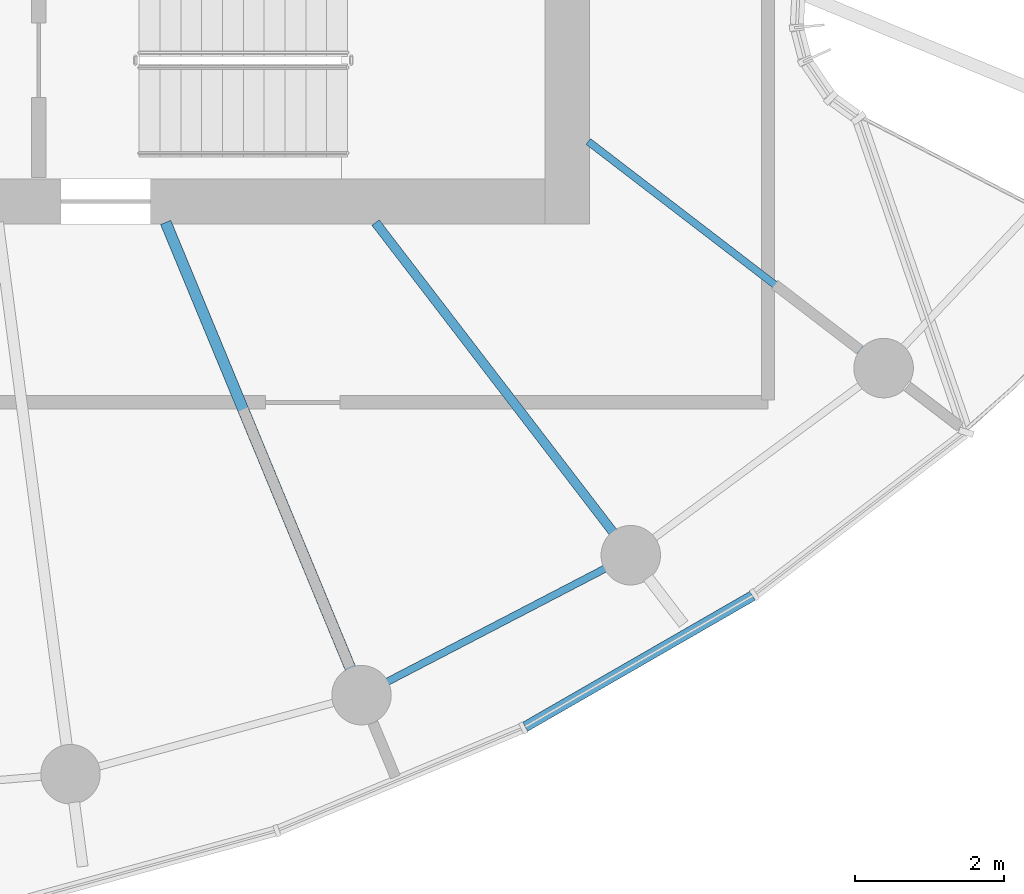
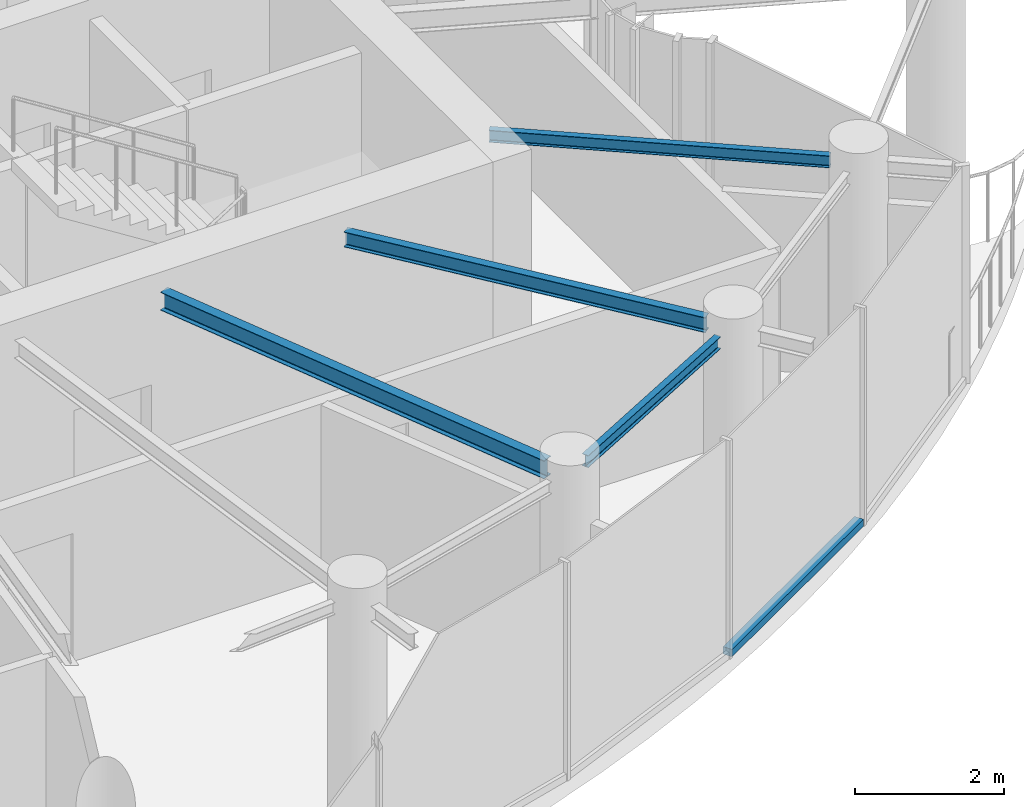
# One storey, part 3 of 14: 4 beams, 1 member, 1 element without a shape of its own.
"""IFC4 building model written with IfcOpenShell, lengths in metres."""

from ifc_helpers import new_model, si_unit, direction, frame, origin, origin_2d, place, context, subcontext, project, spatial, rectangle, i_section, extrude, source, transform, mapped, material, layer, layer_set, material_profile, profile_set, type_object, element, aggregate, save


model = new_model("IFC4")

# Units and contexts
model_context = context("Model", 3, precision=1e-05, world=origin(), true_north=direction((0.0, 1.0)))
body_context = subcontext(model_context, "Body", "Model", "MODEL_VIEW")
ifc_project = project(units=[si_unit("LENGTHUNIT", "METRE"), si_unit("AREAUNIT", "SQUARE_METRE"), si_unit("VOLUMEUNIT", "CUBIC_METRE"), si_unit("PLANEANGLEUNIT", "RADIAN"), si_unit("MASSUNIT", "GRAM", prefix="KILO")], contexts=[model_context])

# Site, building, storey
site_placement = place(None, origin())
site = spatial("IfcSite", under=ifc_project, at=site_placement, CompositionType="ELEMENT")
building_placement = place(site_placement, origin())
building = spatial("IfcBuilding", under=site, at=building_placement, Name="Spindrift Exchange Tower", CompositionType="ELEMENT")
storey_placement = place(building_placement, frame((0.0, 0.0, 238.39990234375)))
storey = spatial("IfcBuildingStorey", under=building, at=storey_placement, Name="L58", CompositionType="ELEMENT", Elevation=238.39990234375)

# Beams
ifc_material_1 = material(Name="Steel Grade 300", Category="steel")
ifc_material_profile_1 = material_profile(ifc_material_1, i_section(OverallWidth=0.14892578125, OverallDepth=0.298095703125, WebThickness=0.005615234375, FlangeThickness=0.008056640625, FilletRadius=0.012939453125, at=origin_2d()), Name="310UB32.0")
ifc_profile_set_1 = profile_set([ifc_material_profile_1], Name="Steel Grade 300")
beam_type_1 = type_object("IfcBeamType", Name="Floor Beam 310UB32.0 Steel Grade 300", PredefinedType="BEAM", material=ifc_profile_set_1)
shared_shape_1 = source(origin(), body_context, "Body", "SweptSolid", [
    extrude(i_section(OverallWidth=0.14892578125, OverallDepth=0.298095703125, WebThickness=0.005615234375, FlangeThickness=0.008056640625, FilletRadius=0.012939453125, at=origin_2d()), origin(), (0.0, 0.0, 1.0), 6.495849609375),
])
beam_1_placement = place(storey_placement, frame((55.30615234375, 40.0185546875, 3.43115234375), z_axis=(0.382677087308, -0.923882160695, 0.0), x_axis=(0.923882160695, 0.382677087308, 0.0)))
element("IfcBeam", 1, at=beam_1_placement, inside=storey, type_object=beam_type_1, Name="L58 radial beam R20A", PredefinedType="BEAM", context=body_context, shape_type="MappedRepresentation", body=[
    mapped(shared_shape_1, transform((0.0, 0.0, 0.0), scale=1.0)),
])
ifc_material_profile_2 = material_profile(ifc_material_1, i_section(OverallWidth=0.1240234375, OverallDepth=0.248046875, WebThickness=0.0048828125, FlangeThickness=0.008056640625, FilletRadius=0.011962890625, at=origin_2d()), Name="250UB25.7")
ifc_profile_set_2 = profile_set([ifc_material_profile_2], Name="Steel Grade 300")
beam_type_2 = type_object("IfcBeamType", Name="Floor Beam 250UB25.7 Steel Grade 300", PredefinedType="BEAM", material=ifc_profile_set_2)
shared_shape_2 = source(origin(), body_context, "Body", "SweptSolid", [
    extrude(i_section(OverallWidth=0.1240234375, OverallDepth=0.248046875, WebThickness=0.0048828125, FlangeThickness=0.008056640625, FilletRadius=0.011962890625, at=origin_2d()), origin(), (0.0, 0.0, 1.0), 5.25341796875),
])
beam_2_placement = place(storey_placement, frame((58.12646484375, 40.015869140625, 3.4560546875), z_axis=(0.608760287872, -0.793354215915, 0.0), x_axis=(0.793354215915, 0.608760287872, 0.0)))
element("IfcBeam", 2, at=beam_2_placement, inside=storey, type_object=beam_type_2, Name="L58 radial beam R21A", PredefinedType="BEAM", context=body_context, shape_type="MappedRepresentation", body=[
    mapped(shared_shape_2, transform((0.0, 0.0, 0.0), scale=1.0)),
])
ifc_material_profile_3 = material_profile(ifc_material_1, i_section(OverallWidth=0.09912109375, OverallDepth=0.197998046875, WebThickness=0.00439453125, FlangeThickness=0.007080078125, FilletRadius=0.010986328125, at=origin_2d()), Name="200UB18.2")
ifc_profile_set_3 = profile_set([ifc_material_profile_3], Name="Steel Grade 300")
beam_type_3 = type_object("IfcBeamType", Name="Floor Beam 200UB18.2 Steel Grade 300", PredefinedType="BEAM", material=ifc_profile_set_3)
shared_shape_3 = source(origin(), body_context, "Body", "SweptSolid", [
    extrude(i_section(OverallWidth=0.09912109375, OverallDepth=0.197998046875, WebThickness=0.00439453125, FlangeThickness=0.007080078125, FilletRadius=0.010986328125, at=origin_2d()), origin(), (0.0, 0.0, 1.0), 4.622802734375),
])
beam_3_placement = place(storey_placement, frame((60.984130859375, 41.106201171875, 3.481201171875), z_axis=(0.793347882225, -0.608768542033, 0.0), x_axis=(0.608768542033, 0.793347882225, 0.0)))
element("IfcBeam", 3, at=beam_3_placement, inside=storey, type_object=beam_type_3, Name="L58 radial beam R22A", PredefinedType="BEAM", context=body_context, shape_type="MappedRepresentation", body=[
    mapped(shared_shape_3, transform((0.0, 0.0, 0.0), scale=1.0)),
])
ifc_material_profile_4 = material_profile(ifc_material_1, i_section(OverallWidth=0.09912109375, OverallDepth=0.197998046875, WebThickness=0.00439453125, FlangeThickness=0.007080078125, FilletRadius=0.010986328125, at=origin_2d()), Name="200UB18.2")
ifc_profile_set_4 = profile_set([ifc_material_profile_4], Name="Steel Grade 300")
beam_type_4 = type_object("IfcBeamType", Name="Edge Beam 200UB18.2 Steel Grade 300", PredefinedType="SPANDREL", material=ifc_profile_set_4)
shared_shape_4 = source(origin(), body_context, "Body", "SweptSolid", [
    extrude(i_section(OverallWidth=0.09912109375, OverallDepth=0.197998046875, WebThickness=0.00439453125, FlangeThickness=0.007080078125, FilletRadius=0.010986328125, at=origin_2d()), origin(), (0.0, 0.0, 1.0), 3.31787109375),
])
beam_4_placement = place(storey_placement, frame((58.2744140625, 33.84130859375, 3.481201171875), z_axis=(0.887327612278, 0.46113957593, 0.0), x_axis=(-0.46113957593, 0.887327612278, 0.0)))
element("IfcBeam", 4, at=beam_4_placement, inside=storey, type_object=beam_type_4, Name="L58 edge beam E20", PredefinedType="SPANDREL", context=body_context, shape_type="MappedRepresentation", body=[
    mapped(shared_shape_4, transform((0.0, 0.0, 0.0), scale=1.0)),
])

# Curtain wall, member
ifc_material_2 = material(Name="Fritted laminated glass with bronze frame", Category="glass")
ifc_layer = layer(ifc_material_2, 0.159912109375)
ifc_layer_set = layer_set([ifc_layer], Name="ZONE 5 BRONZE FRITTED WALL")
curtain_wall_type = type_object("IfcCurtainWallType", Name="ZONE 5 BRONZE FRITTED WALL", PredefinedType="NOTDEFINED", material=ifc_layer_set)
curtain_wall_placement = place(storey_placement, origin())
curtain_wall = element("IfcCurtainWall", 5, at=curtain_wall_placement, inside=storey, type_object=curtain_wall_type, Name="L58 Zone 5 Bronze Fritted Wall run 4", PredefinedType="NOTDEFINED")
ifc_material_3 = material(Name="Bronze anodised aluminium", Category="aluminium")
ifc_material_profile_5 = material_profile(ifc_material_3, rectangle(XDim=0.139892578125, YDim=0.1201171875, at=origin_2d()), Name="ZONE 5 BRONZE FRITTED WALL TRANSOM 140X120")
ifc_profile_set_5 = profile_set([ifc_material_profile_5], Name="Bronze anodised aluminium")
member_type = type_object("IfcMemberType", Name="ZONE 5 BRONZE FRITTED WALL TRANSOM 140X120", PredefinedType="USERDEFINED", material=ifc_profile_set_5)
shared_shape_5 = source(origin(), body_context, "Body", "SweptSolid", [
    extrude(rectangle(XDim=0.139892578125, YDim=0.1201171875, at=origin_2d()), origin(), (0.0, 0.0, 1.0), 3.526123046875),
])
member_placement = place(storey_placement, frame((60.13671875, 33.240966796875, 0.06005859375), z_axis=(0.866520825319, 0.499140921272, 0.0), x_axis=(-0.499140921272, 0.866520825319, 0.0)))
member = element("IfcMember", 6, at=member_placement, type_object=member_type, Name="L58 transom CW-5.21", ObjectType="TRANSOM", PredefinedType="USERDEFINED", context=body_context, shape_type="MappedRepresentation", body=[
    mapped(shared_shape_5, transform((0.0, 0.0, 0.0), scale=1.0)),
])
aggregate(curtain_wall, [member])

save(model, "model.ifc")
